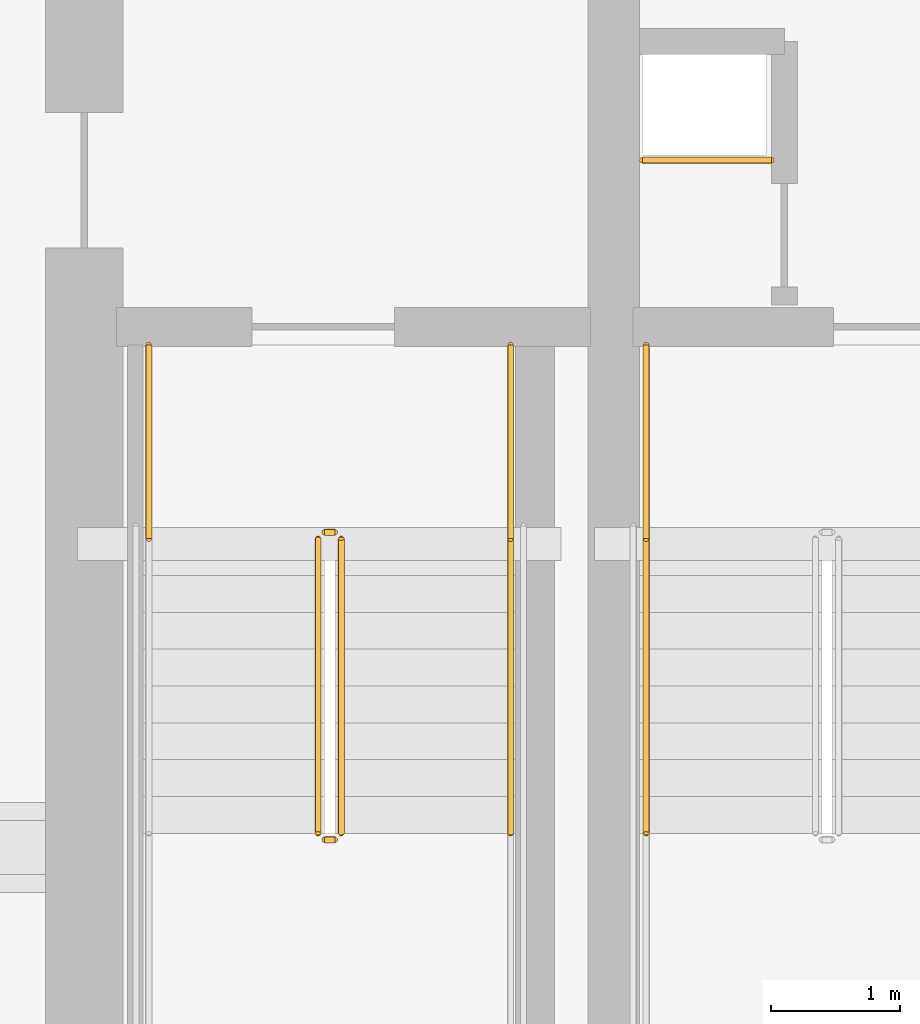
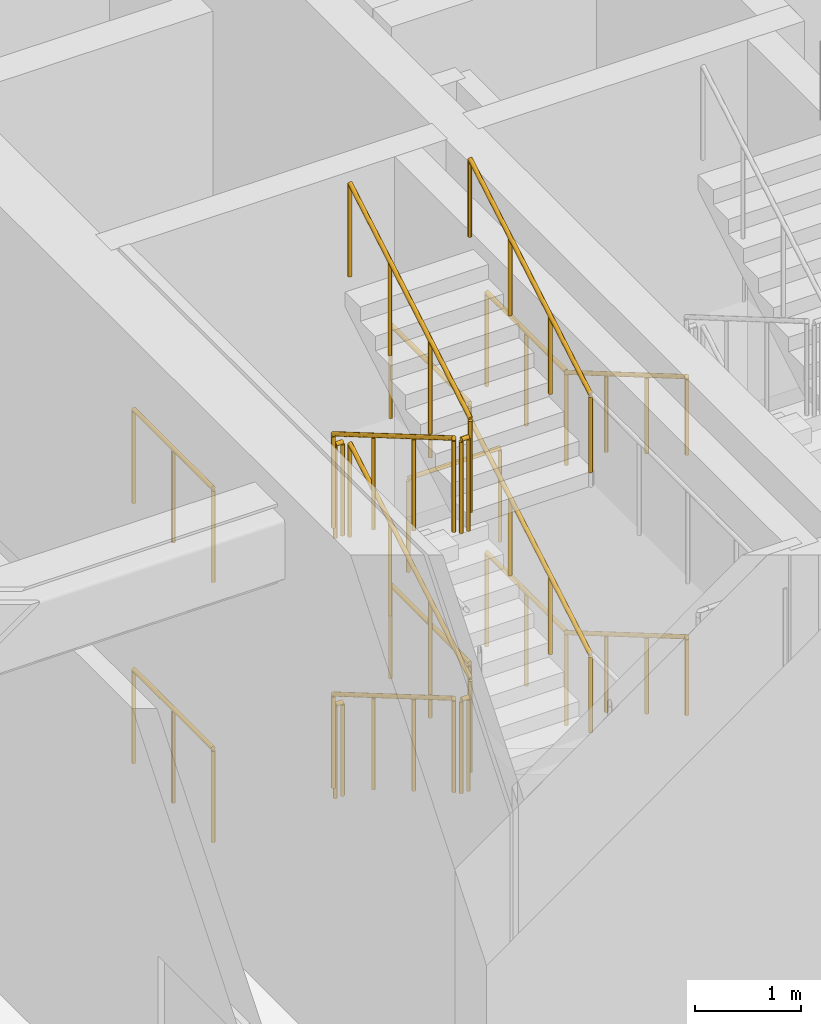
# One storey, part 11 of 14: 19 railings.
"""IFC4 building model written with IfcOpenShell, lengths in metres."""

from ifc_helpers import new_model, si_unit, direction, frame, origin, origin_2d, place, context, subcontext, project, spatial, circle, extrude, material, type_object, element, save


model = new_model("IFC4")

# Units and contexts
model_context = context("Model", 3, precision=1e-05, world=origin(), true_north=direction((0.0, 1.0)))
body_context = subcontext(model_context, "Body", "Model", "MODEL_VIEW")
ifc_project = project(units=[si_unit("LENGTHUNIT", "METRE"), si_unit("AREAUNIT", "SQUARE_METRE"), si_unit("VOLUMEUNIT", "CUBIC_METRE"), si_unit("PLANEANGLEUNIT", "RADIAN"), si_unit("MASSUNIT", "GRAM", prefix="KILO")], contexts=[model_context])

# Site, building, storey
site_placement = place(None, origin())
site = spatial("IfcSite", under=ifc_project, at=site_placement, CompositionType="ELEMENT")
building_placement = place(site_placement, origin())
building = spatial("IfcBuilding", under=site, at=building_placement, Name="Bramvorn Convention Spire", CompositionType="ELEMENT")
storey_placement = place(building_placement, frame((0.0, 0.0, 35.39990234375)))
storey = spatial("IfcBuildingStorey", under=building, at=storey_placement, Name="L06", CompositionType="ELEMENT", Elevation=35.39990234375)

# Railings
ifc_material_1 = material(Name="Painted Steel Balustrade & Guardrail", Category="steel")
railing_type_1 = type_object("IfcRailingType", Name="RL-STAIR-GUARD-1100", PredefinedType="GUARDRAIL", material=ifc_material_1)
railing_1_placement = place(storey_placement, frame((28.81005859375, 25.050048828125, 0.166748046875)))
element("IfcRailing", 1, at=railing_1_placement, inside=storey, type_object=railing_type_1, Name="L06 ST1 stair guard 1", PredefinedType="GUARDRAIL", context=body_context, shape_type="SweptSolid", body=[
    extrude(circle(Radius=0.02392578125, at=origin_2d()), frame((0.0, 0.0, 1.076171875), z_axis=(0.0, -0.863245362884, 0.504784551527), x_axis=(1.0, 0.0, 0.0)), (0.0, 0.0, 1.0), 2.64111328125),
    extrude(circle(Radius=0.02099609375, at=origin_2d()), origin(), (0.0, 0.0, 1.0), 1.052001953125),
    extrude(circle(Radius=0.02099609375, at=origin_2d()), frame((0.0, -0.760009765625, 0.4443359375)), (0.0, 0.0, 1.0), 1.052001953125),
    extrude(circle(Radius=0.02099609375, at=origin_2d()), frame((0.0, -1.52001953125, 0.888916015625)), (0.0, 0.0, 1.0), 1.052001953125),
    extrude(circle(Radius=0.02099609375, at=origin_2d()), frame((0.0, -2.280029296875, 1.333251953125)), (0.0, 0.0, 1.0), 1.052001953125),
])
railing_2_placement = place(storey_placement, frame((28.860107421875, 22.719970703125, 1.5)))
element("IfcRailing", 2, at=railing_2_placement, inside=storey, type_object=railing_type_1, Name="L06 ST1 stair guard 2", PredefinedType="GUARDRAIL", context=body_context, shape_type="SweptSolid", body=[
    extrude(circle(Radius=0.02392578125, at=origin_2d()), frame((0.0, 0.0, 1.076171875), z_axis=(1.0, 0.0, 0.0), x_axis=(0.0, 1.0, 0.0)), (0.0, 0.0, 1.0), 0.079833984375),
    extrude(circle(Radius=0.02099609375, at=origin_2d()), origin(), (0.0, 0.0, 1.0), 1.052001953125),
    extrude(circle(Radius=0.02099609375, at=origin_2d()), frame((0.079833984375, 0.0, 0.0)), (0.0, 0.0, 1.0), 1.052001953125),
])
railing_3_placement = place(storey_placement, frame((28.989990234375, 22.77001953125, 1.666748046875)))
element("IfcRailing", 3, at=railing_3_placement, inside=storey, type_object=railing_type_1, Name="L06 ST1 stair guard 6", PredefinedType="GUARDRAIL", context=body_context, shape_type="SweptSolid", body=[
    extrude(circle(Radius=0.02392578125, at=origin_2d()), frame((0.0, 0.0, 1.076171875), z_axis=(0.0, 0.863245362884, 0.504784551527), x_axis=(-1.0, 0.0, 0.0)), (0.0, 0.0, 1.0), 2.64111328125),
    extrude(circle(Radius=0.02099609375, at=origin_2d()), origin(), (0.0, 0.0, 1.0), 1.052001953125),
    extrude(circle(Radius=0.02099609375, at=origin_2d()), frame((0.0, 0.760009765625, 0.4443359375)), (0.0, 0.0, 1.0), 1.052001953125),
    extrude(circle(Radius=0.02099609375, at=origin_2d()), frame((0.0, 1.52001953125, 0.888916015625)), (0.0, 0.0, 1.0), 1.052001953125),
    extrude(circle(Radius=0.02099609375, at=origin_2d()), frame((0.0, 2.280029296875, 1.333251953125)), (0.0, 0.0, 1.0), 1.052001953125),
])
railing_4_placement = place(storey_placement, frame((28.860107421875, 25.10009765625, 3.0)))
element("IfcRailing", 4, at=railing_4_placement, inside=storey, type_object=railing_type_1, Name="L06 ST1 stair guard 7", PredefinedType="GUARDRAIL", context=body_context, shape_type="SweptSolid", body=[
    extrude(circle(Radius=0.02392578125, at=origin_2d()), frame((0.0, 0.0, 1.076171875), z_axis=(1.0, 0.0, 0.0), x_axis=(0.0, 1.0, 0.0)), (0.0, 0.0, 1.0), 0.079833984375),
    extrude(circle(Radius=0.02099609375, at=origin_2d()), origin(), (0.0, 0.0, 1.0), 1.052001953125),
    extrude(circle(Radius=0.02099609375, at=origin_2d()), frame((0.079833984375, 0.0, 0.0)), (0.0, 0.0, 1.0), 1.052001953125),
])
for number, where, name in (
    (5, (27.5, 26.550048828125, 3.0), "L06 ST1 stair guard 8"),
    (6, (30.300048828125, 26.550048828125, 3.0), "L06 ST1 stair guard 9"),
):
    element("IfcRailing", number, at=place(storey_placement, frame(where)), inside=storey, type_object=railing_type_1, Name=name, PredefinedType="GUARDRAIL", context=body_context, shape_type="SweptSolid", body=[
        extrude(circle(Radius=0.02392578125, at=origin_2d()), frame((0.0, 0.0, 1.076171875), z_axis=(0.0, -1.0, 0.0), x_axis=(1.0, 0.0, 0.0)), (0.0, 0.0, 1.0), 1.5),
        extrude(circle(Radius=0.02099609375, at=origin_2d()), origin(), (0.0, 0.0, 1.0), 1.052001953125),
        extrude(circle(Radius=0.02099609375, at=origin_2d()), frame((0.0, -0.75, 0.0)), (0.0, 0.0, 1.0), 1.052001953125),
        extrude(circle(Radius=0.02099609375, at=origin_2d()), frame((0.0, -1.5, 0.0)), (0.0, 0.0, 1.0), 1.052001953125),
    ])
railing_5_placement = place(storey_placement, frame((28.81005859375, 25.050048828125, 3.166748046875)))
element("IfcRailing", 7, at=railing_5_placement, inside=storey, type_object=railing_type_1, Name="L06 ST1 stair guard 10", PredefinedType="GUARDRAIL", context=body_context, shape_type="SweptSolid", body=[
    extrude(circle(Radius=0.02392578125, at=origin_2d()), frame((0.0, 0.0, 1.076171875), z_axis=(0.0, -0.863245362884, 0.504784551527), x_axis=(1.0, 0.0, 0.0)), (0.0, 0.0, 1.0), 2.64111328125),
    extrude(circle(Radius=0.02099609375, at=origin_2d()), origin(), (0.0, 0.0, 1.0), 1.052001953125),
    extrude(circle(Radius=0.02099609375, at=origin_2d()), frame((0.0, -0.760009765625, 0.4443359375)), (0.0, 0.0, 1.0), 1.052001953125),
    extrude(circle(Radius=0.02099609375, at=origin_2d()), frame((0.0, -1.52001953125, 0.888916015625)), (0.0, 0.0, 1.0), 1.052001953125),
    extrude(circle(Radius=0.02099609375, at=origin_2d()), frame((0.0, -2.280029296875, 1.333251953125)), (0.0, 0.0, 1.0), 1.052001953125),
])
railing_6_placement = place(storey_placement, frame((28.860107421875, 22.719970703125, 4.5)))
element("IfcRailing", 8, at=railing_6_placement, inside=storey, type_object=railing_type_1, Name="L06 ST1 stair guard 11", PredefinedType="GUARDRAIL", context=body_context, shape_type="SweptSolid", body=[
    extrude(circle(Radius=0.02392578125, at=origin_2d()), frame((0.0, 0.0, 1.076171875), z_axis=(1.0, 0.0, 0.0), x_axis=(0.0, 1.0, 0.0)), (0.0, 0.0, 1.0), 0.079833984375),
    extrude(circle(Radius=0.02099609375, at=origin_2d()), origin(), (0.0, 0.0, 1.0), 1.052001953125),
    extrude(circle(Radius=0.02099609375, at=origin_2d()), frame((0.079833984375, 0.0, 0.0)), (0.0, 0.0, 1.0), 1.052001953125),
])
railing_7_placement = place(storey_placement, frame((28.989990234375, 22.77001953125, 4.666748046875)))
element("IfcRailing", 9, at=railing_7_placement, inside=storey, type_object=railing_type_1, Name="L06 ST1 stair guard 15", PredefinedType="GUARDRAIL", context=body_context, shape_type="SweptSolid", body=[
    extrude(circle(Radius=0.02392578125, at=origin_2d()), frame((0.0, 0.0, 1.076171875), z_axis=(0.0, 0.863245362884, 0.504784551527), x_axis=(-1.0, 0.0, 0.0)), (0.0, 0.0, 1.0), 2.64111328125),
    extrude(circle(Radius=0.02099609375, at=origin_2d()), origin(), (0.0, 0.0, 1.0), 1.052001953125),
    extrude(circle(Radius=0.02099609375, at=origin_2d()), frame((0.0, 0.760009765625, 0.4443359375)), (0.0, 0.0, 1.0), 1.052001953125),
    extrude(circle(Radius=0.02099609375, at=origin_2d()), frame((0.0, 1.52001953125, 0.888916015625)), (0.0, 0.0, 1.0), 1.052001953125),
    extrude(circle(Radius=0.02099609375, at=origin_2d()), frame((0.0, 2.280029296875, 1.333251953125)), (0.0, 0.0, 1.0), 1.052001953125),
])
railing_8_placement = place(storey_placement, frame((28.860107421875, 25.10009765625, 0.0)))
element("IfcRailing", 10, at=railing_8_placement, inside=storey, type_object=railing_type_1, Name="L06 ST1 stair guard 16", PredefinedType="GUARDRAIL", context=body_context, shape_type="SweptSolid", body=[
    extrude(circle(Radius=0.02392578125, at=origin_2d()), frame((0.0, 0.0, 1.076171875), z_axis=(1.0, 0.0, 0.0), x_axis=(0.0, 1.0, 0.0)), (0.0, 0.0, 1.0), 0.079833984375),
    extrude(circle(Radius=0.02099609375, at=origin_2d()), origin(), (0.0, 0.0, 1.0), 1.052001953125),
    extrude(circle(Radius=0.02099609375, at=origin_2d()), frame((0.079833984375, 0.0, 0.0)), (0.0, 0.0, 1.0), 1.052001953125),
])
for number, where, name in (
    (11, (27.5, 26.550048828125, 0.0), "L06 ST1 stair guard 17"),
    (12, (30.300048828125, 26.550048828125, 0.0), "L06 ST1 stair guard 18"),
    (13, (31.35009765625, 26.550048828125, 3.0), "L06 ST3 stair guard 8"),
    (14, (31.35009765625, 26.550048828125, 0.0), "L06 ST3 stair guard 17"),
):
    element("IfcRailing", number, at=place(storey_placement, frame(where)), inside=storey, type_object=railing_type_1, Name=name, PredefinedType="GUARDRAIL", context=body_context, shape_type="SweptSolid", body=[
        extrude(circle(Radius=0.02392578125, at=origin_2d()), frame((0.0, 0.0, 1.076171875), z_axis=(0.0, -1.0, 0.0), x_axis=(1.0, 0.0, 0.0)), (0.0, 0.0, 1.0), 1.5),
        extrude(circle(Radius=0.02099609375, at=origin_2d()), origin(), (0.0, 0.0, 1.0), 1.052001953125),
        extrude(circle(Radius=0.02099609375, at=origin_2d()), frame((0.0, -0.75, 0.0)), (0.0, 0.0, 1.0), 1.052001953125),
        extrude(circle(Radius=0.02099609375, at=origin_2d()), frame((0.0, -1.5, 0.0)), (0.0, 0.0, 1.0), 1.052001953125),
    ])
railing_9_placement = place(storey_placement, frame((31.320068359375, 27.97998046875, 0.0)))
element("IfcRailing", 15, at=railing_9_placement, inside=storey, type_object=railing_type_1, Name="L06 Telecom riser shaft opening safety guardrail", PredefinedType="GUARDRAIL", context=body_context, shape_type="SweptSolid", body=[
    extrude(circle(Radius=0.02392578125, at=origin_2d()), frame((0.0, 0.0, 1.076171875), z_axis=(1.0, 0.0, 0.0), x_axis=(0.0, 1.0, 0.0)), (0.0, 0.0, 1.0), 1.0),
    extrude(circle(Radius=0.02099609375, at=origin_2d()), origin(), (0.0, 0.0, 1.0), 1.052001953125),
    extrude(circle(Radius=0.02099609375, at=origin_2d()), frame((1.0, 0.0, 0.0)), (0.0, 0.0, 1.0), 1.052001953125),
])
ifc_material_2 = material(Name="Brushed Bronze Tubular Handrail", Category="aluminium")
railing_type_2 = type_object("IfcRailingType", Name="RL-STAIR-HR-920", PredefinedType="HANDRAIL", material=ifc_material_2)
for number, where, name in (
    (16, (30.300048828125, 22.77001953125, 1.666748046875), "L06 ST1 stair handrail 2"),
    (17, (30.300048828125, 22.77001953125, 4.666748046875), "L06 ST1 stair handrail 4"),
):
    element("IfcRailing", number, at=place(storey_placement, frame(where)), inside=storey, type_object=railing_type_2, Name=name, PredefinedType="HANDRAIL", context=body_context, shape_type="SweptSolid", body=[
        extrude(circle(Radius=0.02392578125, at=origin_2d()), frame((0.0, 0.0, 0.89599609375), z_axis=(0.0, 0.863245362884, 0.504784551527), x_axis=(-1.0, 0.0, 0.0)), (0.0, 0.0, 1.0), 2.64111328125),
        extrude(circle(Radius=0.02099609375, at=origin_2d()), origin(), (0.0, 0.0, 1.0), 0.871826171875),
        extrude(circle(Radius=0.02099609375, at=origin_2d()), frame((0.0, 0.760009765625, 0.4443359375)), (0.0, 0.0, 1.0), 0.871826171875),
        extrude(circle(Radius=0.02099609375, at=origin_2d()), frame((0.0, 1.52001953125, 0.888916015625)), (0.0, 0.0, 1.0), 0.871826171875),
        extrude(circle(Radius=0.02099609375, at=origin_2d()), frame((0.0, 2.280029296875, 1.333251953125)), (0.0, 0.0, 1.0), 0.871826171875),
    ])
for number, where, name in (
    (18, (31.35009765625, 25.050048828125, 0.166748046875), "L06 ST3 stair handrail 1"),
    (19, (31.35009765625, 25.050048828125, 3.166748046875), "L06 ST3 stair handrail 3"),
):
    element("IfcRailing", number, at=place(storey_placement, frame(where)), inside=storey, type_object=railing_type_2, Name=name, PredefinedType="HANDRAIL", context=body_context, shape_type="SweptSolid", body=[
        extrude(circle(Radius=0.02392578125, at=origin_2d()), frame((0.0, 0.0, 0.89599609375), z_axis=(0.0, -0.863245362884, 0.504784551527), x_axis=(1.0, 0.0, 0.0)), (0.0, 0.0, 1.0), 2.64111328125),
        extrude(circle(Radius=0.02099609375, at=origin_2d()), origin(), (0.0, 0.0, 1.0), 0.871826171875),
        extrude(circle(Radius=0.02099609375, at=origin_2d()), frame((0.0, -0.760009765625, 0.4443359375)), (0.0, 0.0, 1.0), 0.871826171875),
        extrude(circle(Radius=0.02099609375, at=origin_2d()), frame((0.0, -1.52001953125, 0.888916015625)), (0.0, 0.0, 1.0), 0.871826171875),
        extrude(circle(Radius=0.02099609375, at=origin_2d()), frame((0.0, -2.280029296875, 1.333251953125)), (0.0, 0.0, 1.0), 0.871826171875),
    ])

save(model, "model.ifc")
